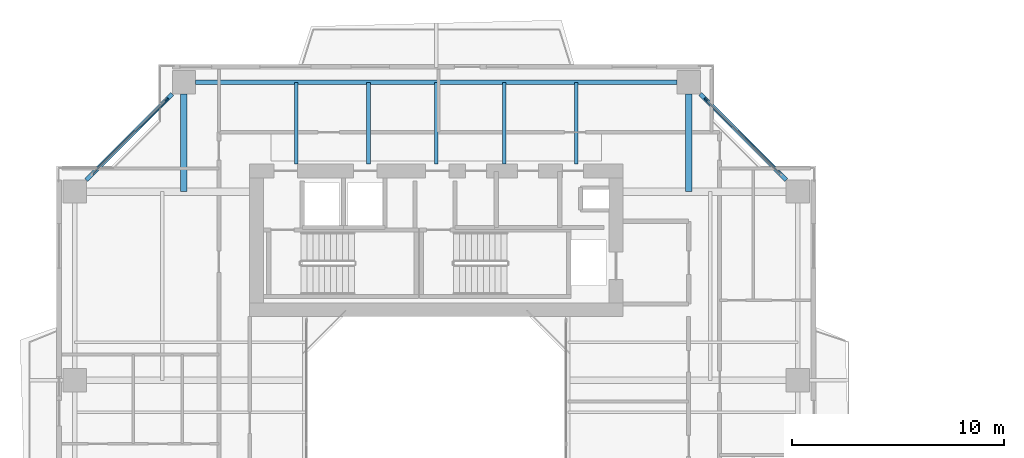
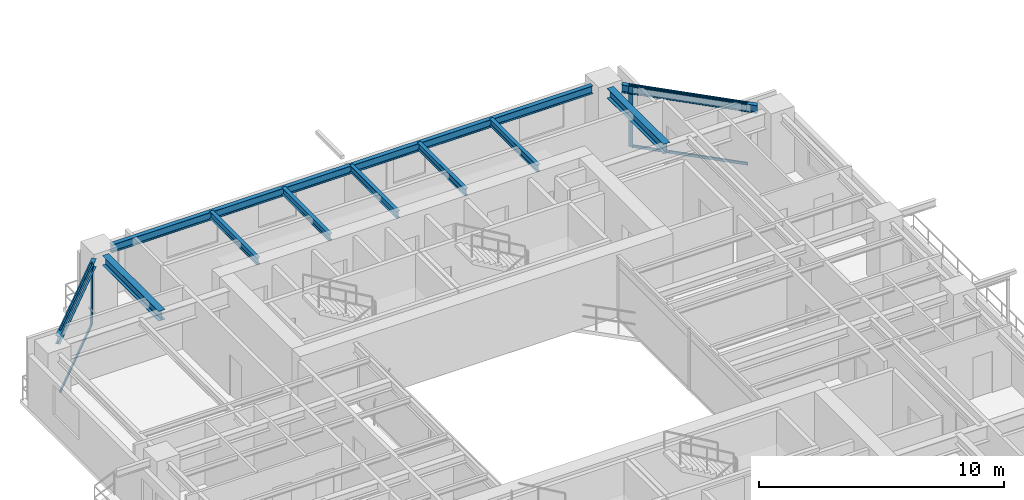
# One storey, part 11 of 24: 10 beams, 6 members, 2 elements without a shape of their own.
"""IFC4 building model written with IfcOpenShell, lengths in metres."""

from ifc_helpers import new_model, si_unit, direction, frame, origin, origin_2d, place, context, subcontext, project, spatial, rectangle, i_section, extrude, source, transform, mapped, material, layer, layer_set, material_profile, profile_set, type_object, element, aggregate, save


model = new_model("IFC4")

# Units and contexts
model_context = context("Model", 3, precision=1e-05, world=origin(), true_north=direction((0.0, 1.0)))
body_context = subcontext(model_context, "Body", "Model", "MODEL_VIEW")
ifc_project = project(units=[si_unit("LENGTHUNIT", "METRE"), si_unit("AREAUNIT", "SQUARE_METRE"), si_unit("VOLUMEUNIT", "CUBIC_METRE"), si_unit("PLANEANGLEUNIT", "RADIAN"), si_unit("MASSUNIT", "GRAM", prefix="KILO"), si_unit("THERMODYNAMICTEMPERATUREUNIT", "KELVIN"), si_unit("POWERUNIT", "WATT")], contexts=[model_context])

# Site, building, storey
site_placement = place(None, origin())
site = spatial("IfcSite", under=ifc_project, at=site_placement, CompositionType="ELEMENT")
building_placement = place(site_placement, origin())
building = spatial("IfcBuilding", under=site, at=building_placement, Name="Qiaomeng Ring Towers", CompositionType="ELEMENT")
storey_placement = place(building_placement, frame((0.0, 0.0, 106.75)))
storey = spatial("IfcBuildingStorey", under=building, at=storey_placement, Name="L30", CompositionType="ELEMENT", Elevation=106.75)

# Beams
ifc_material_1 = material(Name="Steel Q355B", Category="steel")
ifc_material_profile_1 = material_profile(ifc_material_1, i_section(OverallWidth=0.199951171875, OverallDepth=0.39990234375, WebThickness=0.008056640625, FlangeThickness=0.012939453125, FilletRadius=0.01611328125, at=origin_2d()), Name="HN 400x200x8x13")
ifc_profile_set_1 = profile_set([ifc_material_profile_1], Name="Steel Q355B")
beam_type_1 = type_object("IfcBeamType", Name="STR-BM-HN400", PredefinedType="SPANDREL", material=ifc_profile_set_1)
shared_shape_1 = source(origin(), body_context, "Body", "SweptSolid", [
    extrude(i_section(OverallWidth=0.199951171875, OverallDepth=0.39990234375, WebThickness=0.008056640625, FlangeThickness=0.012939453125, FilletRadius=0.01611328125, at=origin_2d()), origin(), (0.0, 0.0, 1.0), 22.7021484375),
])
beam_placement = place(storey_placement, frame((30.35107421875, 40.050048828125, 2.8701171875), z_axis=(-1.0, 0.0, 0.0), x_axis=(0.0, -1.0, 0.0)))
element("IfcBeam", 1, at=beam_placement, inside=storey, type_object=beam_type_1, Name="L30 beam STR-SP-L30-T1-N2-N1", PredefinedType="SPANDREL", context=body_context, shape_type="MappedRepresentation", body=[
    mapped(shared_shape_1, transform((0.0, 0.0, 0.0), x_axis=(1.0, 0.0, 0.0), y_axis=(0.0, 1.0, 0.0), z_axis=(0.0, 0.0, 1.0), scale=1.0)),
])
shared_shape_2 = source(origin(), body_context, "Body", "SweptSolid", [
    extrude(i_section(OverallWidth=0.199951171875, OverallDepth=0.39990234375, WebThickness=0.008056640625, FlangeThickness=0.012939453125, FilletRadius=0.01611328125, at=origin_2d()), origin(), (0.0, 0.0, 1.0), 5.729736328125),
])
for number, where, z_axis, x_axis, name in (
    (2, (35.500732421875, 35.44921875, 2.8701171875), (-0.707106781187, 0.707106781187, 0.0), (-0.707106781187, -0.707106781187, 0.0), "L30 beam STR-SP-L30-T1-E4-N2"),
    (3, (6.55078125, 39.500732421875, 2.8701171875), (-0.707106781187, -0.707106781187, 0.0), (0.707106781187, -0.707106781187, 0.0), "L30 beam STR-SP-L30-T1-N1-W4"),
):
    element("IfcBeam", number, at=place(storey_placement, frame(where, z_axis=z_axis, x_axis=x_axis)), inside=storey, type_object=beam_type_1, Name=name, PredefinedType="SPANDREL", context=body_context, shape_type="MappedRepresentation", body=[
        mapped(shared_shape_2, transform((0.0, 0.0, 0.0), x_axis=(1.0, 0.0, 0.0), y_axis=(0.0, 1.0, 0.0), z_axis=(0.0, 0.0, 1.0), scale=1.0)),
    ])
ifc_material_profile_2 = material_profile(ifc_material_1, i_section(OverallWidth=0.300048828125, OverallDepth=0.488037109375, WebThickness=0.010986328125, FlangeThickness=0.01806640625, FilletRadius=0.02587890625, at=origin_2d()), Name="HM 488x300x11x18")
ifc_profile_set_2 = profile_set([ifc_material_profile_2], Name="Steel Q355B")
beam_type_2 = type_object("IfcBeamType", Name="STR-BM-HM488", PredefinedType="BEAM", material=ifc_profile_set_2)
shared_shape_3 = source(origin(), body_context, "Body", "SweptSolid", [
    extrude(i_section(OverallWidth=0.300048828125, OverallDepth=0.488037109375, WebThickness=0.010986328125, FlangeThickness=0.01806640625, FilletRadius=0.02587890625, at=origin_2d()), origin(), (0.0, 0.0, 1.0), 4.60107421875),
])
for number, where, z_axis, x_axis, name in (
    (4, (7.10009765625, 39.5009765625, 2.825927734375), (0.0, -1.0, 0.0), (1.0, 0.0, 0.0), "L30 beam STR-BM-L30-T1-RAD-N1"),
    (5, (30.89990234375, 39.5009765625, 2.825927734375), (0.0, -1.0, 0.0), (1.0, 0.0, 0.0), "L30 beam STR-BM-L30-T1-RAD-N2"),
):
    element("IfcBeam", number, at=place(storey_placement, frame(where, z_axis=z_axis, x_axis=x_axis)), inside=storey, type_object=beam_type_2, Name=name, PredefinedType="BEAM", context=body_context, shape_type="MappedRepresentation", body=[
        mapped(shared_shape_3, transform((0.0, 0.0, 0.0), x_axis=(1.0, 0.0, 0.0), y_axis=(0.0, 1.0, 0.0), z_axis=(0.0, 0.0, 1.0), scale=1.0)),
    ])
ifc_material_profile_3 = material_profile(ifc_material_1, i_section(OverallWidth=0.175048828125, OverallDepth=0.35009765625, WebThickness=0.007080078125, FlangeThickness=0.010986328125, FilletRadius=0.013916015625, at=origin_2d()), Name="HN 350x175x7x11")
ifc_profile_set_3 = profile_set([ifc_material_profile_3], Name="Steel Q355B")
beam_type_3 = type_object("IfcBeamType", Name="STR-BM-HN350", PredefinedType="JOIST", material=ifc_profile_set_3)
shared_shape_4 = source(origin(), body_context, "Body", "SweptSolid", [
    extrude(i_section(OverallWidth=0.175048828125, OverallDepth=0.35009765625, WebThickness=0.007080078125, FlangeThickness=0.010986328125, FilletRadius=0.013916015625, at=origin_2d()), origin(), (0.0, 0.0, 1.0), 3.85009765625),
])
for number, where, z_axis, x_axis, name in (
    (6, (12.39990234375, 36.199951171875, 2.89501953125), (0.0, 1.0, 0.0), (-1.0, 0.0, 0.0), "L30 beam STR-JST-L30-T1N-1"),
    (7, (15.800048828125, 36.199951171875, 2.89501953125), (0.0, 1.0, 0.0), (-1.0, 0.0, 0.0), "L30 beam STR-JST-L30-T1N-2"),
    (8, (19.0, 36.199951171875, 2.89501953125), (0.0, 1.0, 0.0), (-1.0, 0.0, 0.0), "L30 beam STR-JST-L30-T1N-3"),
    (9, (22.199951171875, 36.199951171875, 2.89501953125), (0.0, 1.0, 0.0), (-1.0, 0.0, 0.0), "L30 beam STR-JST-L30-T1N-4"),
    (10, (25.60009765625, 36.199951171875, 2.89501953125), (0.0, 1.0, 0.0), (-1.0, 0.0, 0.0), "L30 beam STR-JST-L30-T1N-5"),
):
    element("IfcBeam", number, at=place(storey_placement, frame(where, z_axis=z_axis, x_axis=x_axis)), inside=storey, type_object=beam_type_3, Name=name, PredefinedType="JOIST", context=body_context, shape_type="MappedRepresentation", body=[
        mapped(shared_shape_4, transform((0.0, 0.0, 0.0), x_axis=(1.0, 0.0, 0.0), y_axis=(0.0, 1.0, 0.0), z_axis=(0.0, 0.0, 1.0), scale=1.0)),
    ])

# Curtain wall, member
ifc_material_2 = material(Name="Fluorocarbon dark-grey aluminium", Category="aluminium")
ifc_layer = layer(ifc_material_2, 0.14990234375, Name="Fluorocarbon dark-grey aluminium")
ifc_layer_set = layer_set([ifc_layer], Name="Fluorocarbon dark-grey aluminium")
curtain_wall_type = type_object("IfcCurtainWallType", Name="ARC-CW-3", PredefinedType="NOTDEFINED", material=ifc_layer_set)
curtain_wall_1_placement = place(storey_placement, origin())
curtain_wall_1 = element("IfcCurtainWall", 11, at=curtain_wall_1_placement, inside=storey, type_object=curtain_wall_type, Name="L30 Curtain Wall CW3", PredefinedType="NOTDEFINED")
ifc_material_profile_4 = material_profile(ifc_material_2, rectangle(XDim=0.070068359375, YDim=0.179931640625, at=origin_2d()), Name="ALU MULL 70x180")
ifc_profile_set_4 = profile_set([ifc_material_profile_4], Name="Fluorocarbon dark-grey aluminium")
member_type_1 = type_object("IfcMemberType", Name="ARC-CWM-160", PredefinedType="MULLION", material=ifc_profile_set_4)
shared_shape_5 = source(origin(), body_context, "Body", "SweptSolid", [
    extrude(rectangle(XDim=0.070068359375, YDim=0.179931640625, at=origin_2d()), origin(), (0.0, 0.0, 1.0), 3.070068359375),
])
member_1_placement = place(storey_placement, frame((31.71484375, 39.2353515625, 0.0), z_axis=(0.0, 0.0, 1.0), x_axis=(-0.707106781187, -0.707106781187, 0.0)))
member_1 = element("IfcMember", 12, at=member_1_placement, type_object=member_type_1, Name="CW3 mullion 2", PredefinedType="MULLION", context=body_context, shape_type="MappedRepresentation", body=[
    mapped(shared_shape_5, transform((0.0, 0.0, 0.0), x_axis=(1.0, 0.0, 0.0), y_axis=(0.0, 1.0, 0.0), z_axis=(0.0, 0.0, 1.0), scale=1.0)),
])

curtain_wall_2_placement = place(storey_placement, origin())
curtain_wall_2 = element("IfcCurtainWall", 13, at=curtain_wall_2_placement, inside=storey, type_object=curtain_wall_type, Name="L30 Curtain Wall CW3", PredefinedType="NOTDEFINED")
member_2_placement = place(storey_placement, frame((6.28515625, 39.2353515625, 0.0), z_axis=(0.0, 0.0, 1.0), x_axis=(0.707106781187, -0.707106781187, 0.0)))
member_2 = element("IfcMember", 14, at=member_2_placement, type_object=member_type_1, Name="CW3 mullion 1", PredefinedType="MULLION", context=body_context, shape_type="MappedRepresentation", body=[
    mapped(shared_shape_5, transform((0.0, 0.0, 0.0), x_axis=(1.0, 0.0, 0.0), y_axis=(0.0, 1.0, 0.0), z_axis=(0.0, 0.0, 1.0), scale=1.0)),
])

# Member
ifc_material_profile_5 = material_profile(ifc_material_2, rectangle(XDim=0.06494140625, YDim=0.1298828125, at=origin_2d()), Name="ALU TRAN 65x130")
ifc_profile_set_5 = profile_set([ifc_material_profile_5], Name="Fluorocarbon dark-grey aluminium")
member_type_2 = type_object("IfcMemberType", Name="ARC-CWT-120", PredefinedType="USERDEFINED", material=ifc_profile_set_5)
shared_shape_6 = source(origin(), body_context, "Body", "SweptSolid", [
    extrude(rectangle(XDim=0.06494140625, YDim=0.1298828125, at=origin_2d()), origin(), (0.0, 0.0, 1.0), 4.90869140625),
])
member_3_placement = place(storey_placement, frame((35.21044921875, 35.739501953125, 0.032470703125), z_axis=(-0.707106781187, 0.707106781187, 0.0), x_axis=(-0.707106781187, -0.707106781187, 0.0)))
member_3 = element("IfcMember", 15, at=member_3_placement, type_object=member_type_2, Name="CW3 transom 1.1", ObjectType="TRANSOM", PredefinedType="USERDEFINED", context=body_context, shape_type="MappedRepresentation", body=[
    mapped(shared_shape_6, transform((0.0, 0.0, 0.0), x_axis=(1.0, 0.0, 0.0), y_axis=(0.0, 1.0, 0.0), z_axis=(0.0, 0.0, 1.0), scale=1.0)),
])

member_4_placement = place(storey_placement, frame((35.21044921875, 35.739501953125, 3.03759765625), z_axis=(-0.707106781187, 0.707106781187, 0.0), x_axis=(-0.707106781187, -0.707106781187, 0.0)))
member_4 = element("IfcMember", 16, at=member_4_placement, type_object=member_type_2, Name="CW3 transom 1.2", ObjectType="TRANSOM", PredefinedType="USERDEFINED", context=body_context, shape_type="MappedRepresentation", body=[
    mapped(shared_shape_6, transform((0.0, 0.0, 0.0), x_axis=(1.0, 0.0, 0.0), y_axis=(0.0, 1.0, 0.0), z_axis=(0.0, 0.0, 1.0), scale=1.0)),
])

aggregate(curtain_wall_1, [member_1, member_3, member_4])

member_5_placement = place(storey_placement, frame((6.260498046875, 39.21044921875, 0.032470703125), z_axis=(-0.707106781187, -0.707106781187, 0.0), x_axis=(0.707106781187, -0.707106781187, 0.0)))
member_5 = element("IfcMember", 17, at=member_5_placement, type_object=member_type_2, Name="CW3 transom 1.1", ObjectType="TRANSOM", PredefinedType="USERDEFINED", context=body_context, shape_type="MappedRepresentation", body=[
    mapped(shared_shape_6, transform((0.0, 0.0, 0.0), x_axis=(1.0, 0.0, 0.0), y_axis=(0.0, 1.0, 0.0), z_axis=(0.0, 0.0, 1.0), scale=1.0)),
])

member_6_placement = place(storey_placement, frame((6.260498046875, 39.21044921875, 3.03759765625), z_axis=(-0.707106781187, -0.707106781187, 0.0), x_axis=(0.707106781187, -0.707106781187, 0.0)))
member_6 = element("IfcMember", 18, at=member_6_placement, type_object=member_type_2, Name="CW3 transom 1.2", ObjectType="TRANSOM", PredefinedType="USERDEFINED", context=body_context, shape_type="MappedRepresentation", body=[
    mapped(shared_shape_6, transform((0.0, 0.0, 0.0), x_axis=(1.0, 0.0, 0.0), y_axis=(0.0, 1.0, 0.0), z_axis=(0.0, 0.0, 1.0), scale=1.0)),
])

aggregate(curtain_wall_2, [member_2, member_5, member_6])

save(model, "model.ifc")
